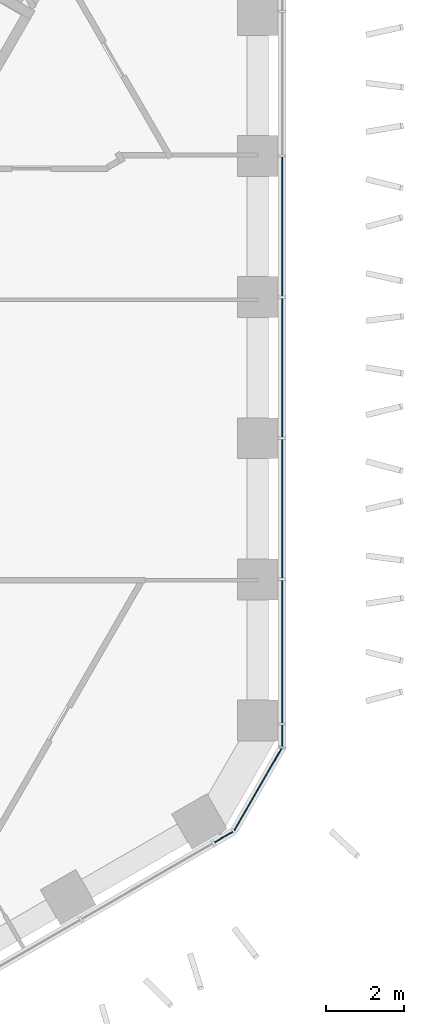
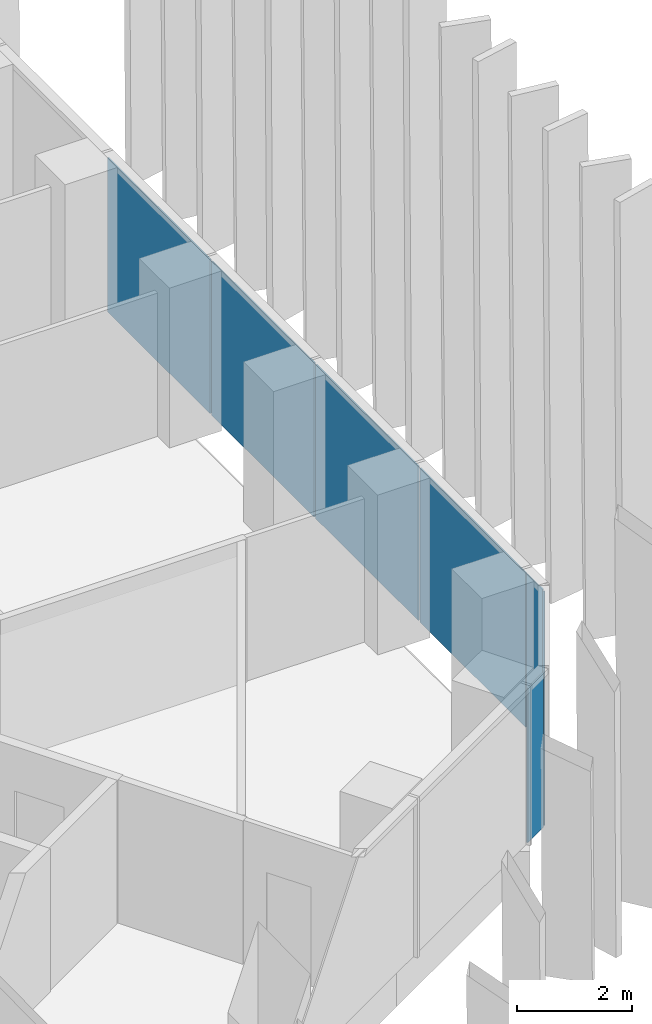
# One storey, part 10 of 19: 7 plates, 2 elements without a shape of their own.
"""IFC4 building model written with IfcOpenShell, lengths in metres."""

from ifc_helpers import new_model, si_unit, direction, frame, origin, origin_2d, place, context, subcontext, project, spatial, rectangle, extrude, material, layer, layer_set, type_object, element, aggregate, save


model = new_model("IFC4")

# Units and contexts
model_context = context("Model", 3, precision=1e-05, world=origin(), true_north=direction((0.0, 1.0)))
body_context = subcontext(model_context, "Body", "Model", "MODEL_VIEW")
ifc_project = project(units=[si_unit("LENGTHUNIT", "METRE"), si_unit("AREAUNIT", "SQUARE_METRE"), si_unit("VOLUMEUNIT", "CUBIC_METRE"), si_unit("PLANEANGLEUNIT", "RADIAN"), si_unit("MASSUNIT", "GRAM", prefix="KILO")], contexts=[model_context])

# Site, building, storey
site_placement = place(None, origin())
site = spatial("IfcSite", under=ifc_project, at=site_placement, CompositionType="ELEMENT")
building_placement = place(site_placement, origin())
building = spatial("IfcBuilding", under=site, at=building_placement, Name="Ayvan Gate Tower", CompositionType="ELEMENT")
storey_placement = place(building_placement, frame((0.0, 0.0, 103.5)))
storey = spatial("IfcBuildingStorey", under=building, at=storey_placement, Name="L27", CompositionType="ELEMENT", Elevation=103.5)

# Curtain wall, plates
ifc_material_1 = material(Name="Bronze anodised aluminium", Category="aluminium")
ifc_layer_1 = layer(ifc_material_1, 0.199951171875)
ifc_layer_set_1 = layer_set([ifc_layer_1], Name="Bronze anodised aluminium")
curtain_wall_type_1 = type_object("IfcCurtainWallType", Name="Stick curtain wall CW-1", PredefinedType="NOTDEFINED", material=ifc_layer_set_1)
curtain_wall_1_placement = place(storey_placement, origin())
curtain_wall_1 = element("IfcCurtainWall", 1, at=curtain_wall_1_placement, inside=storey, type_object=curtain_wall_type_1, Name="Stick curtain wall CW-1 L27", PredefinedType="NOTDEFINED")
ifc_material_2 = material(Name="Clear low-iron laminated glass", Category="glass")
ifc_layer_2 = layer(ifc_material_2, 0.028076171875)
ifc_layer_set_2 = layer_set([ifc_layer_2], Name="Clear low-iron laminated glass")
plate_type_1 = type_object("IfcPlateType", Name="Stick curtain wall CW-1 glass panel", PredefinedType="CURTAIN_PANEL", material=ifc_layer_set_2)
plate_1_placement = place(storey_placement, frame((20.110595703125, -7.316162109375, 0.0), z_axis=(0.0, 0.0, 1.0), x_axis=(0.0, 1.0, 0.0)))
plate_1 = element("IfcPlate", 2, at=plate_1_placement, type_object=plate_type_1, Name="CW-1 glass panel 1", PredefinedType="CURTAIN_PANEL", context=body_context, shape_type="SweptSolid", body=[
    extrude(rectangle(XDim=3.68603515625, YDim=0.028076171875, at=origin_2d()), origin(), (0.0, 0.0, 1.0), 3.280029296875),
])
plate_2_placement = place(storey_placement, frame((20.110595703125, -3.628662109375, 0.0), z_axis=(0.0, 0.0, 1.0), x_axis=(0.0, 1.0, 0.0)))
plate_2 = element("IfcPlate", 3, at=plate_2_placement, type_object=plate_type_1, Name="CW-1 glass panel 2", PredefinedType="CURTAIN_PANEL", context=body_context, shape_type="SweptSolid", body=[
    extrude(rectangle(XDim=3.569091796875, YDim=0.028076171875, at=origin_2d()), origin(), (0.0, 0.0, 1.0), 3.280029296875),
])
plate_3_placement = place(storey_placement, frame((20.110595703125, 0.00048828125, 0.0), z_axis=(0.0, 0.0, 1.0), x_axis=(0.0, 1.0, 0.0)))
plate_3 = element("IfcPlate", 4, at=plate_3_placement, type_object=plate_type_1, Name="CW-1 glass panel 3", PredefinedType="CURTAIN_PANEL", context=body_context, shape_type="SweptSolid", body=[
    extrude(rectangle(XDim=3.569091796875, YDim=0.028076171875, at=origin_2d()), origin(), (0.0, 0.0, 1.0), 3.280029296875),
])
plate_4_placement = place(storey_placement, frame((20.110595703125, 3.62939453125, 0.0), z_axis=(0.0, 0.0, 1.0), x_axis=(0.0, 1.0, 0.0)))
plate_4 = element("IfcPlate", 5, at=plate_4_placement, type_object=plate_type_1, Name="CW-1 glass panel 4", PredefinedType="CURTAIN_PANEL", context=body_context, shape_type="SweptSolid", body=[
    extrude(rectangle(XDim=3.569091796875, YDim=0.028076171875, at=origin_2d()), origin(), (0.0, 0.0, 1.0), 3.280029296875),
])
aggregate(curtain_wall_1, [plate_1, plate_2, plate_3, plate_4])

ifc_layer_3 = layer(ifc_material_1, 0.199951171875)
ifc_layer_set_3 = layer_set([ifc_layer_3], Name="Bronze anodised aluminium")
curtain_wall_type_2 = type_object("IfcCurtainWallType", Name="Stick curtain wall CW-6", PredefinedType="NOTDEFINED", material=ifc_layer_set_3)
curtain_wall_2_placement = place(storey_placement, origin())
curtain_wall_2 = element("IfcCurtainWall", 6, at=curtain_wall_2_placement, inside=storey, type_object=curtain_wall_type_2, Name="Stick curtain wall CW-6 L27", PredefinedType="NOTDEFINED")
ifc_layer_4 = layer(ifc_material_2, 0.028076171875)
ifc_layer_set_4 = layer_set([ifc_layer_4], Name="Clear low-iron laminated glass")
plate_type_2 = type_object("IfcPlateType", Name="Stick curtain wall CW-6 glass panel", PredefinedType="CURTAIN_PANEL", material=ifc_layer_set_4)
plate_5_placement = place(storey_placement, frame((18.607421875, -12.0673828125, 0.0), z_axis=(0.0, 0.0, 1.0), x_axis=(0.866025403784, 0.5, 0.0)))
plate_5 = element("IfcPlate", 7, at=plate_5_placement, type_object=plate_type_2, Name="CW-6 glass panel 1", PredefinedType="CURTAIN_PANEL", context=body_context, shape_type="SweptSolid", body=[
    extrude(rectangle(XDim=0.550048828125, YDim=0.028076171875, at=origin_2d()), origin(), (0.0, 0.0, 1.0), 3.280029296875),
])
plate_6_placement = place(storey_placement, frame((19.489013671875, -10.8408203125, 0.0), z_axis=(0.0, 0.0, 1.0), x_axis=(0.5, 0.866025403784, 0.0)))
plate_6 = element("IfcPlate", 8, at=plate_6_placement, type_object=plate_type_2, Name="CW-6 glass panel 2", PredefinedType="CURTAIN_PANEL", context=body_context, shape_type="SweptSolid", body=[
    extrude(rectangle(XDim=2.4365234375, YDim=0.028076171875, at=origin_2d()), origin(), (0.0, 0.0, 1.0), 3.280029296875),
])
plate_7_placement = place(storey_placement, frame((20.110595703125, -9.464111328125, 0.0), z_axis=(0.0, 0.0, 1.0), x_axis=(0.0, 1.0, 0.0)))
plate_7 = element("IfcPlate", 9, at=plate_7_placement, type_object=plate_type_2, Name="CW-6 glass panel 3", PredefinedType="CURTAIN_PANEL", context=body_context, shape_type="SweptSolid", body=[
    extrude(rectangle(XDim=0.550048828125, YDim=0.028076171875, at=origin_2d()), origin(), (0.0, 0.0, 1.0), 3.280029296875),
])
aggregate(curtain_wall_2, [plate_5, plate_6, plate_7])

save(model, "model.ifc")
